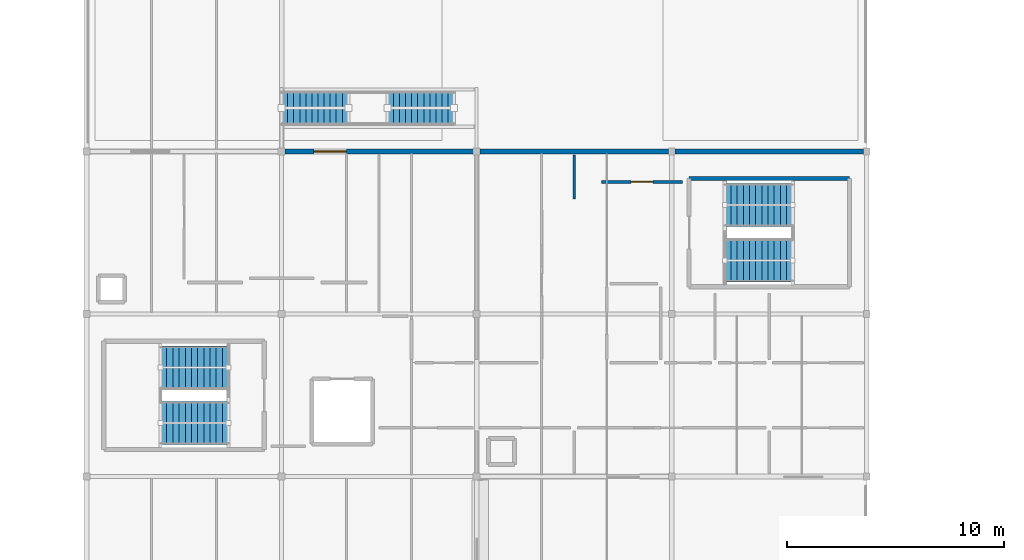
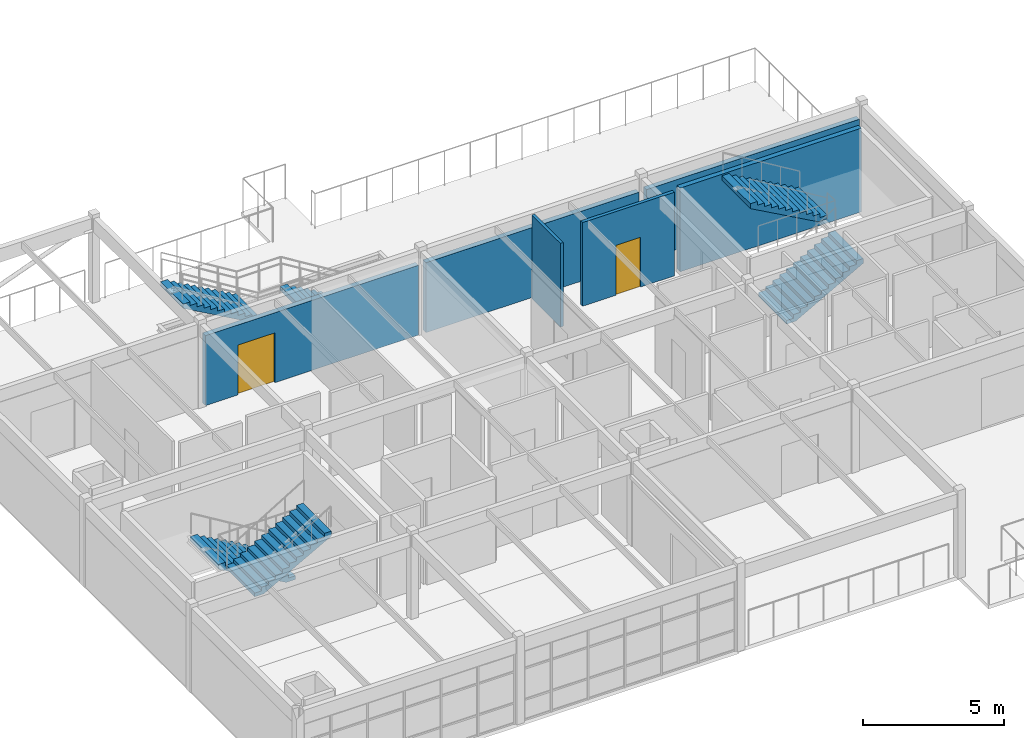
# One storey, part 22 of 24: 6 stair flights, 6 walls, 2 doors, 2 openings, 3 elements without a shape of their own.
"""IFC4 building model written with IfcOpenShell, lengths in metres."""

from ifc_helpers import new_model, si_unit, direction, frame, frame_2d, origin, place, context, subcontext, project, spatial, polyline, rectangle, outline, extrude, material, layer, layer_set, type_object, element, fill, aggregate, save


model = new_model("IFC4")

# Units and contexts
model_context = context("Model", 3, precision=1e-05, world=origin(), true_north=direction((0.0, 1.0)))
body_context = subcontext(model_context, "Body", "Model", "MODEL_VIEW")
ifc_project = project(units=[si_unit("LENGTHUNIT", "METRE"), si_unit("AREAUNIT", "SQUARE_METRE"), si_unit("VOLUMEUNIT", "CUBIC_METRE"), si_unit("PLANEANGLEUNIT", "RADIAN"), si_unit("MASSUNIT", "GRAM", prefix="KILO")], contexts=[model_context])

# Site, building, storey
site_placement = place(None, origin())
site = spatial("IfcSite", under=ifc_project, at=site_placement, CompositionType="ELEMENT")
building_placement = place(site_placement, origin())
building = spatial("IfcBuilding", under=site, at=building_placement, Name="Marnridge Secondary College", CompositionType="ELEMENT")
storey_placement = place(building_placement, frame((0.0, 0.0, 16.10009765625)))
storey = spatial("IfcBuildingStorey", under=building, at=storey_placement, Name="L04", CompositionType="ELEMENT", Elevation=16.10009765625)

# Wall
ifc_material_1 = material(Name="Concrete C40/50 (AS 3600 N40, 40 MPa)", Category="concrete")
ifc_layer_1 = layer(ifc_material_1, 0.199951171875)
ifc_layer_set_1 = layer_set([ifc_layer_1], Name="WT-CORE-RC200")
wall_type_1 = type_object("IfcWallType", Name="WT-CORE-RC200", PredefinedType="SHEAR", material=ifc_layer_set_1)
wall_1_placement = place(storey_placement, frame((89.199951171875, 66.25, 0.0), z_axis=(0.0, 0.0, 1.0), x_axis=(-1.0, 0.0, 0.0)))
element("IfcWall", 1, at=wall_1_placement, inside=storey, type_object=wall_type_1, Name="Stair core shear wall WC-L04-0291", PredefinedType="SHEAR", context=body_context, shape_type="SweptSolid", body=[
    extrude(rectangle(XDim=7.39990234375, YDim=0.199951171875, at=frame_2d((3.699951171875, 0.0))), origin(), (0.0, 0.0, 1.0), 3.60986328125),
])

# Wall, opening, door
ifc_material_2 = material(Name="Cross-laminated timber CL5", Category="wood")
ifc_layer_2 = layer(ifc_material_2, 0.215087890625)
ifc_layer_set_2 = layer_set([ifc_layer_2], Name="WT-EXT-CLT215")
wall_type_2 = type_object("IfcWallType", Name="WT-EXT-CLT215", PredefinedType="SOLIDWALL", material=ifc_layer_set_2)
wall_2_placement = place(storey_placement, frame((63.153564453125, 67.5, 0.0), z_axis=(0.0, 0.0, 1.0), x_axis=(1.0, 0.0, 0.0)))
wall_2 = element("IfcWall", 2, at=wall_2_placement, inside=storey, type_object=wall_type_2, Name="Exterior wall WE-L04-0195", PredefinedType="SOLIDWALL", context=body_context, shape_type="SweptSolid", body=[
    extrude(rectangle(XDim=8.69287109375, YDim=0.215087890625, at=frame_2d((4.346435546875, 0.0))), origin(), (0.0, 0.0, 1.0), 3.016845703125),
])
opening_1_placement = place(wall_2_placement, frame((1.336181640625, 0.0, 0.0)))
opening_1 = element("IfcOpeningElement", 3, at=opening_1_placement, cuts=wall_2, Name="Opening DE-L04-042", PredefinedType="OPENING", context=body_context, shape_type="SweptSolid", body=[
    extrude(rectangle(XDim=1.5, YDim=2.14990234375, at=frame_2d((0.75, 1.074951171875))), frame((0.0, 0.117431640625, 0.0), z_axis=(0.0, -1.0, 0.0), x_axis=(1.0, 0.0, 0.0)), (0.0, 0.0, 1.0), 0.235107421875),
])
ifc_material_3 = material(Name="Thermally broken timber-aluminium terrace doorset", Category="wood")
door_type_1 = type_object("IfcDoorType", Name="DT-EXT-TER150", OperationType="DOUBLE_DOOR_SINGLE_SWING", PredefinedType="DOOR", material=ifc_material_3)
door_1_placement = place(opening_1_placement, origin())
door_1 = element("IfcDoor", 4, at=door_1_placement, inside=storey, type_object=door_type_1, Name="Play deck access door DE-L04-042", OperationType="DOUBLE_DOOR_SINGLE_SWING", OverallHeight=2.14990234375, OverallWidth=1.5, PredefinedType="DOOR", context=body_context, shape_type="SweptSolid", body=[
    extrude(rectangle(XDim=1.5, YDim=2.14990234375, at=frame_2d((0.75, 1.074951171875))), frame((0.0, 0.02490234375, 0.0), z_axis=(0.0, -1.0, 0.0), x_axis=(1.0, 0.0, 0.0)), (0.0, 0.0, 1.0), 0.050048828125),
])
fill(opening_1, door_1)

# Walls
for number, where, z_axis, x_axis, name in (
    (5, (72.153564453125, 67.5, 0.0), (0.0, 0.0, 1.0), (1.0, 0.0, 0.0), "Exterior wall WE-L04-0196"),
    (6, (81.153564453125, 67.5, 0.0), (0.0, 0.0, 1.0), (1.0, 0.0, 0.0), "Exterior wall WE-L04-0197"),
):
    element("IfcWall", number, at=place(storey_placement, frame(where, z_axis=z_axis, x_axis=x_axis)), inside=storey, type_object=wall_type_2, Name=name, PredefinedType="SOLIDWALL", context=body_context, shape_type="SweptSolid", body=[
        extrude(rectangle(XDim=8.69287109375, YDim=0.215087890625, at=frame_2d((4.346435546875, 0.0))), origin(), (0.0, 0.0, 1.0), 3.016845703125),
    ])
ifc_material_4 = material(Name="Acoustic plasterboard partition Rw45", Category="gypsum")
ifc_layer_3 = layer(ifc_material_4, 0.1201171875)
ifc_layer_set_3 = layer_set([ifc_layer_3], Name="WT-PART-AC120")
wall_type_3 = type_object("IfcWallType", Name="WT-PART-AC120", PredefinedType="PARTITIONING", material=ifc_layer_set_3)
wall_3_placement = place(storey_placement, frame((76.5, 65.31005859375, 0.0), z_axis=(0.0, 0.0, 1.0), x_axis=(0.0, 1.0, 0.0)))
element("IfcWall", 7, at=wall_3_placement, inside=storey, type_object=wall_type_3, Name="Interior partition WP-L04-0429", PredefinedType="PARTITIONING", context=body_context, shape_type="SweptSolid", body=[
    extrude(rectangle(XDim=2.030029296875, YDim=0.1201171875, at=frame_2d((1.01513671875, 0.0))), origin(), (0.0, 0.0, 1.0), 3.60986328125),
])

# Wall, opening, door
ifc_material_5 = material(Name="Acoustic plasterboard partition Rw48", Category="gypsum")
ifc_layer_4 = layer(ifc_material_5, 0.135009765625)
ifc_layer_set_4 = layer_set([ifc_layer_4], Name="WT-PART-AC135")
wall_type_4 = type_object("IfcWallType", Name="WT-PART-AC135", PredefinedType="PARTITIONING", material=ifc_layer_set_4)
wall_4_placement = place(storey_placement, frame((77.760009765625, 66.10009765625, 0.0), z_axis=(0.0, 0.0, 1.0), x_axis=(1.0, 0.0, 0.0)))
wall_4 = element("IfcWall", 8, at=wall_4_placement, inside=storey, type_object=wall_type_4, Name="Interior partition WP-L04-0422", PredefinedType="PARTITIONING", context=body_context, shape_type="SweptSolid", body=[
    extrude(rectangle(XDim=3.739990234375, YDim=0.135009765625, at=frame_2d((1.8701171875, 0.0))), origin(), (0.0, 0.0, 1.0), 3.60986328125),
])
opening_2_placement = place(wall_4_placement, frame((1.3701171875, 0.0, 0.0)))
opening_2 = element("IfcOpeningElement", 9, at=opening_2_placement, cuts=wall_4, Name="Opening DI-L04-0155", PredefinedType="OPENING", context=body_context, shape_type="SweptSolid", body=[
    extrude(rectangle(XDim=1.0, YDim=2.14990234375, at=frame_2d((0.5, 1.074951171875))), frame((0.0, 0.077392578125, 0.0), z_axis=(0.0, -1.0, 0.0), x_axis=(1.0, 0.0, 0.0)), (0.0, 0.0, 1.0), 0.155029296875),
])
ifc_material_6 = material(Name="Solid-core acoustic hoop-pine classroom doorset", Category="wood")
door_type_2 = type_object("IfcDoorType", Name="DT-CLS-100", OperationType="NOTDEFINED", PredefinedType="DOOR", material=ifc_material_6)
door_2_placement = place(opening_2_placement, origin())
door_2 = element("IfcDoor", 10, at=door_2_placement, inside=storey, type_object=door_type_2, Name="Interior door DI-L04-0155", OperationType="SINGLE_SWING_LEFT", OverallHeight=2.14990234375, OverallWidth=1.0, PredefinedType="DOOR", context=body_context, shape_type="SweptSolid", body=[
    extrude(rectangle(XDim=1.0, YDim=2.14990234375, at=frame_2d((0.5, 1.074951171875))), frame((0.0, 0.02490234375, 0.0), z_axis=(0.0, -1.0, 0.0), x_axis=(1.0, 0.0, 0.0)), (0.0, 0.0, 1.0), 0.050048828125),
])
fill(opening_2, door_2)

# Stair, stair flights
ifc_material_7 = material(Name="Concrete C40/50 (AS 3600 N40, 40 MPa)", Category="concrete")
stair_type_1 = type_object("IfcStairType", Name="STC1", PredefinedType="HALF_TURN_STAIR", material=ifc_material_7)
stair_1_placement = place(storey_placement, origin())
stair_1 = element("IfcStair", 11, at=stair_1_placement, inside=storey, type_object=stair_type_1, Name="Fire-isolated stair ST-01-L04", PredefinedType="HALF_TURN_STAIR")
ifc_material_8 = material(Name="Concrete C40/50 (AS 3600 N40, 40 MPa)", Category="concrete")
stair_flight_type_1 = type_object("IfcStairFlightType", Name="SFC1", PredefinedType="STRAIGHT", material=ifc_material_8)
stair_flight_1_placement = place(storey_placement, frame((60.550048828125, 57.530029296875, 0.0), z_axis=(0.0, 0.0, 1.0), x_axis=(-1.0, 0.0, 0.0)))
stair_flight_1 = element("IfcStairFlight", 12, at=stair_flight_1_placement, type_object=stair_flight_type_1, Name="ST-01-L04 flight 1", NumberOfRisers=12, NumberOfTreads=11, PredefinedType="STRAIGHT", RiserHeight=0.158333333, TreadLength=0.285, context=body_context, shape_type="SweptSolid", body=[
    extrude(outline(polyline([(0.0, 0.0), (0.0, 0.158447265625), (0.284912109375, 0.158447265625), (0.284912109375, 0.316650390625), (0.570068359375, 0.316650390625), (0.570068359375, 0.47509765625), (0.85498046875, 0.47509765625), (0.85498046875, 0.63330078125), (1.139892578125, 0.63330078125), (1.139892578125, 0.791748046875), (1.425048828125, 0.791748046875), (1.425048828125, 0.949951171875), (1.7099609375, 0.949951171875), (1.7099609375, 1.1083984375), (1.9951171875, 1.1083984375), (1.9951171875, 1.2666015625), (2.280029296875, 1.2666015625), (2.280029296875, 1.425048828125), (2.56494140625, 1.425048828125), (2.56494140625, 1.583251953125), (2.85009765625, 1.583251953125), (2.85009765625, 1.74169921875), (3.135009765625, 1.74169921875), (3.135009765625, 1.89990234375), (3.135009765625, 1.535888671875), (0.37060546875, 0.0), (0.0, 0.0)])), frame((0.0, 1.0, 0.0), z_axis=(0.0, -1.0, 0.0), x_axis=(1.0, 0.0, 0.0)), (0.0, 0.0, 1.0), 2.0),
])
stair_flight_2_placement = place(storey_placement, frame((57.4150390625, 54.969970703125, 1.89990234375), z_axis=(0.0, 0.0, 1.0), x_axis=(1.0, 0.0, 0.0)))
stair_flight_2 = element("IfcStairFlight", 13, at=stair_flight_2_placement, type_object=stair_flight_type_1, Name="ST-01-L04 flight 2", NumberOfRisers=12, NumberOfTreads=11, PredefinedType="STRAIGHT", RiserHeight=0.158333333, TreadLength=0.285, context=body_context, shape_type="SweptSolid", body=[
    extrude(outline(polyline([(0.0, 0.0), (0.0, 0.158447265625), (0.284912109375, 0.158447265625), (0.284912109375, 0.316650390625), (0.570068359375, 0.316650390625), (0.570068359375, 0.47509765625), (0.85498046875, 0.47509765625), (0.85498046875, 0.63330078125), (1.139892578125, 0.63330078125), (1.139892578125, 0.791748046875), (1.425048828125, 0.791748046875), (1.425048828125, 0.949951171875), (1.7099609375, 0.949951171875), (1.7099609375, 1.1083984375), (1.9951171875, 1.1083984375), (1.9951171875, 1.2666015625), (2.280029296875, 1.2666015625), (2.280029296875, 1.425048828125), (2.56494140625, 1.425048828125), (2.56494140625, 1.583251953125), (2.85009765625, 1.583251953125), (2.85009765625, 1.74169921875), (3.135009765625, 1.74169921875), (3.135009765625, 1.89990234375), (3.135009765625, 1.535888671875), (0.37060546875, 0.0), (0.0, 0.0)])), frame((0.0, 1.0, 0.0), z_axis=(0.0, -1.0, 0.0), x_axis=(1.0, 0.0, 0.0)), (0.0, 0.0, 1.0), 2.0),
])
aggregate(stair_1, [stair_flight_1, stair_flight_2])

stair_2_placement = place(storey_placement, origin())
stair_2 = element("IfcStair", 14, at=stair_2_placement, inside=storey, type_object=stair_type_1, Name="Fire-isolated stair ST-02-L04", PredefinedType="HALF_TURN_STAIR")
stair_flight_3_placement = place(storey_placement, frame((83.449951171875, 62.469970703125, 0.0), z_axis=(0.0, 0.0, 1.0), x_axis=(1.0, 0.0, 0.0)))
stair_flight_3 = element("IfcStairFlight", 15, at=stair_flight_3_placement, type_object=stair_flight_type_1, Name="ST-02-L04 flight 1", NumberOfRisers=12, NumberOfTreads=11, PredefinedType="STRAIGHT", RiserHeight=0.158333333, TreadLength=0.285, context=body_context, shape_type="SweptSolid", body=[
    extrude(outline(polyline([(0.0, 0.0), (0.0, 0.158447265625), (0.284912109375, 0.158447265625), (0.284912109375, 0.316650390625), (0.570068359375, 0.316650390625), (0.570068359375, 0.47509765625), (0.85498046875, 0.47509765625), (0.85498046875, 0.63330078125), (1.139892578125, 0.63330078125), (1.139892578125, 0.791748046875), (1.425048828125, 0.791748046875), (1.425048828125, 0.949951171875), (1.7099609375, 0.949951171875), (1.7099609375, 1.1083984375), (1.9951171875, 1.1083984375), (1.9951171875, 1.2666015625), (2.280029296875, 1.2666015625), (2.280029296875, 1.425048828125), (2.56494140625, 1.425048828125), (2.56494140625, 1.583251953125), (2.85009765625, 1.583251953125), (2.85009765625, 1.74169921875), (3.135009765625, 1.74169921875), (3.135009765625, 1.89990234375), (3.135009765625, 1.535888671875), (0.37060546875, 0.0), (0.0, 0.0)])), frame((0.0, 1.0, 0.0), z_axis=(0.0, -1.0, 0.0), x_axis=(1.0, 0.0, 0.0)), (0.0, 0.0, 1.0), 2.0),
])
stair_flight_4_placement = place(storey_placement, frame((86.5849609375, 65.030029296875, 1.89990234375), z_axis=(0.0, 0.0, 1.0), x_axis=(-1.0, 0.0, 0.0)))
stair_flight_4 = element("IfcStairFlight", 16, at=stair_flight_4_placement, type_object=stair_flight_type_1, Name="ST-02-L04 flight 2", NumberOfRisers=12, NumberOfTreads=11, PredefinedType="STRAIGHT", RiserHeight=0.158333333, TreadLength=0.285, context=body_context, shape_type="SweptSolid", body=[
    extrude(outline(polyline([(0.0, 0.0), (0.0, 0.158447265625), (0.284912109375, 0.158447265625), (0.284912109375, 0.316650390625), (0.570068359375, 0.316650390625), (0.570068359375, 0.47509765625), (0.85498046875, 0.47509765625), (0.85498046875, 0.63330078125), (1.139892578125, 0.63330078125), (1.139892578125, 0.791748046875), (1.425048828125, 0.791748046875), (1.425048828125, 0.949951171875), (1.7099609375, 0.949951171875), (1.7099609375, 1.1083984375), (1.9951171875, 1.1083984375), (1.9951171875, 1.2666015625), (2.280029296875, 1.2666015625), (2.280029296875, 1.425048828125), (2.56494140625, 1.425048828125), (2.56494140625, 1.583251953125), (2.85009765625, 1.583251953125), (2.85009765625, 1.74169921875), (3.135009765625, 1.74169921875), (3.135009765625, 1.89990234375), (3.135009765625, 1.535888671875), (0.37060546875, 0.0), (0.0, 0.0)])), frame((0.0, 1.0, 0.0), z_axis=(0.0, -1.0, 0.0), x_axis=(1.0, 0.0, 0.0)), (0.0, 0.0, 1.0), 2.0),
])
aggregate(stair_2, [stair_flight_3, stair_flight_4])

ifc_material_9 = material(Name="Precast concrete C40/50 (AS 3600 N40, 40 MPa)", Category="concrete")
stair_type_2 = type_object("IfcStairType", Name="STZ1", PredefinedType="STRAIGHT_RUN_STAIR", material=ifc_material_9)
stair_3_placement = place(storey_placement, origin())
stair_3 = element("IfcStair", 17, at=stair_3_placement, inside=storey, type_object=stair_type_2, Name="Exterior terrace stair ST-Z4", PredefinedType="STRAIGHT_RUN_STAIR")
ifc_material_10 = material(Name="Precast concrete C40/50 (AS 3600 N40, 40 MPa)", Category="concrete")
stair_flight_type_2 = type_object("IfcStairFlightType", Name="SFZ1", PredefinedType="STRAIGHT", material=ifc_material_10)
stair_flight_5_placement = place(storey_placement, frame((70.9599609375, 69.5, 0.0), z_axis=(0.0, 0.0, 1.0), x_axis=(-1.0, 0.0, 0.0)))
stair_flight_5 = element("IfcStairFlight", 18, at=stair_flight_5_placement, type_object=stair_flight_type_2, Name="ST-Z4 flight 1", NumberOfRisers=12, NumberOfTreads=11, PredefinedType="STRAIGHT", RiserHeight=0.158333333, TreadLength=0.28, context=body_context, shape_type="SweptSolid", body=[
    extrude(outline(polyline([(0.0, 0.0), (0.0, 0.158447265625), (0.280029296875, 0.158447265625), (0.280029296875, 0.316650390625), (0.56005859375, 0.316650390625), (0.56005859375, 0.47509765625), (0.840087890625, 0.47509765625), (0.840087890625, 0.63330078125), (1.1201171875, 0.63330078125), (1.1201171875, 0.791748046875), (1.39990234375, 0.791748046875), (1.39990234375, 0.949951171875), (1.679931640625, 0.949951171875), (1.679931640625, 1.1083984375), (1.9599609375, 1.1083984375), (1.9599609375, 1.2666015625), (2.239990234375, 1.2666015625), (2.239990234375, 1.425048828125), (2.52001953125, 1.425048828125), (2.52001953125, 1.583251953125), (2.800048828125, 1.583251953125), (2.800048828125, 1.74169921875), (3.080078125, 1.74169921875), (3.080078125, 1.89990234375), (3.080078125, 1.557861328125), (0.324951171875, 0.0), (0.0, 0.0)])), frame((0.0, 0.800048828125, 0.0), z_axis=(0.0, -1.0, 0.0), x_axis=(1.0, 0.0, 0.0)), (0.0, 0.0, 1.0), 1.60009765625),
])
stair_flight_6_placement = place(storey_placement, frame((66.080078125, 69.5, 1.89990234375), z_axis=(0.0, 0.0, 1.0), x_axis=(-1.0, 0.0, 0.0)))
stair_flight_6 = element("IfcStairFlight", 19, at=stair_flight_6_placement, type_object=stair_flight_type_2, Name="ST-Z4 flight 2", NumberOfRisers=12, NumberOfTreads=11, PredefinedType="STRAIGHT", RiserHeight=0.158333333, TreadLength=0.28, context=body_context, shape_type="SweptSolid", body=[
    extrude(outline(polyline([(0.0, 0.0), (0.0, 0.158447265625), (0.280029296875, 0.158447265625), (0.280029296875, 0.316650390625), (0.56005859375, 0.316650390625), (0.56005859375, 0.47509765625), (0.840087890625, 0.47509765625), (0.840087890625, 0.63330078125), (1.1201171875, 0.63330078125), (1.1201171875, 0.791748046875), (1.39990234375, 0.791748046875), (1.39990234375, 0.949951171875), (1.679931640625, 0.949951171875), (1.679931640625, 1.1083984375), (1.9599609375, 1.1083984375), (1.9599609375, 1.2666015625), (2.239990234375, 1.2666015625), (2.239990234375, 1.425048828125), (2.52001953125, 1.425048828125), (2.52001953125, 1.583251953125), (2.800048828125, 1.583251953125), (2.800048828125, 1.74169921875), (3.080078125, 1.74169921875), (3.080078125, 1.89990234375), (3.080078125, 1.557861328125), (0.324951171875, 0.0), (0.0, 0.0)])), frame((0.0, 0.800048828125, 0.0), z_axis=(0.0, -1.0, 0.0), x_axis=(1.0, 0.0, 0.0)), (0.0, 0.0, 1.0), 1.60009765625),
])
aggregate(stair_3, [stair_flight_5, stair_flight_6])

save(model, "model.ifc")
